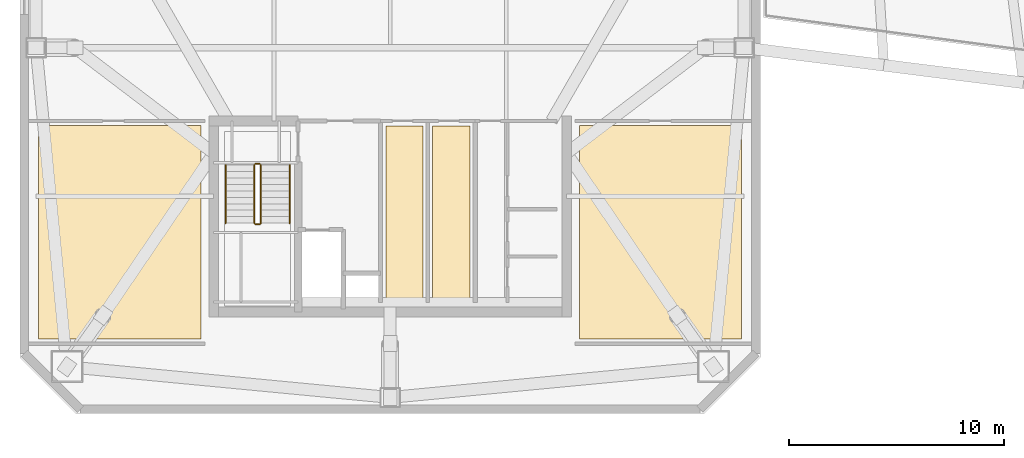
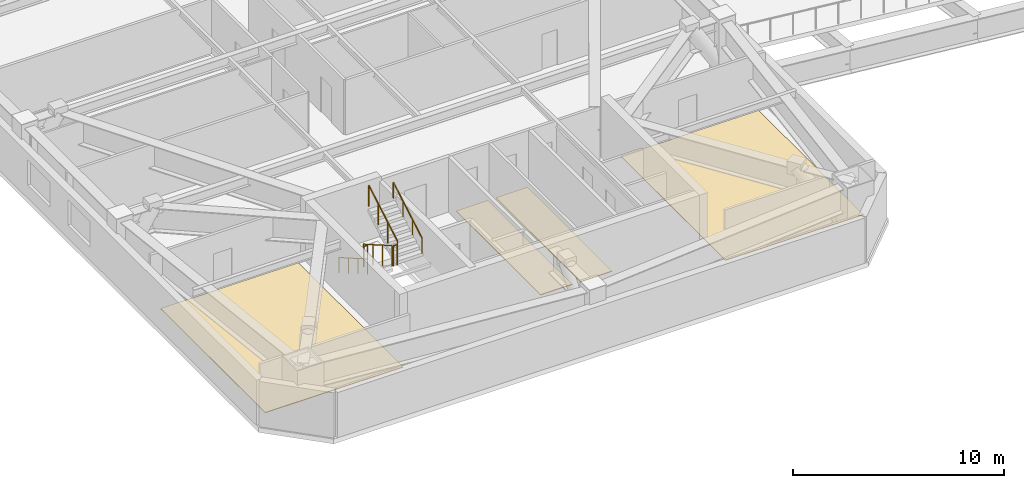
# One storey, part 13 of 18: 6 railings, 4 coverings.
"""IFC4 building model written with IfcOpenShell, lengths in metres."""

from ifc_helpers import new_model, si_unit, direction, frame, origin, origin_2d, place, context, subcontext, project, spatial, polyline, circle, outline, extrude, material, layer, layer_set, type_object, element, save


model = new_model("IFC4")

# Units and contexts
model_context = context("Model", 3, precision=1e-05, world=origin(), true_north=direction((0.0, 1.0)))
body_context = subcontext(model_context, "Body", "Model", "MODEL_VIEW")
ifc_project = project(units=[si_unit("LENGTHUNIT", "METRE"), si_unit("AREAUNIT", "SQUARE_METRE"), si_unit("VOLUMEUNIT", "CUBIC_METRE"), si_unit("PLANEANGLEUNIT", "RADIAN"), si_unit("MASSUNIT", "GRAM", prefix="KILO")], contexts=[model_context])

# Site, building, storey
site_placement = place(None, origin())
site = spatial("IfcSite", under=ifc_project, at=site_placement, CompositionType="ELEMENT")
building_placement = place(site_placement, origin())
building = spatial("IfcBuilding", under=site, at=building_placement, Name="Qiaolan Cultural Towers", CompositionType="ELEMENT")
storey_placement = place(building_placement, frame((0.0, 0.0, 219.64990234375)))
storey = spatial("IfcBuildingStorey", under=building, at=storey_placement, Name="L59", CompositionType="ELEMENT", Elevation=219.64990234375)

# Coverings
ifc_material_1 = material(Name="Honed Terrazzo & Raised Access Flooring", Category="concrete")
ifc_layer = layer(ifc_material_1, 0.0400390625)
ifc_layer_set = layer_set([ifc_layer], Name="Honed Terrazzo & Raised Access Flooring")
covering_type = type_object("IfcCoveringType", Name="COV-FLR-STONE", PredefinedType="FLOORING", material=ifc_layer_set)
covering_1_placement = place(storey_placement, origin())
element("IfcCovering", 1, at=covering_1_placement, inside=storey, type_object=covering_type, Name="L59 Document Print and Copy Room Finish Flooring", PredefinedType="FLOORING", context=body_context, shape_type="SweptSolid", body=[
    extrude(outline(polyline([(31.530029296875, 13.3701171875), (31.530029296875, 21.360107421875), (29.800048828125, 21.360107421875), (29.800048828125, 13.3701171875), (31.530029296875, 13.3701171875)])), origin(), (0.0, 0.0, 1.0), 0.0400390625),
])
covering_2_placement = place(storey_placement, origin())
element("IfcCovering", 2, at=covering_2_placement, inside=storey, type_object=covering_type, Name="L59 Staff Tea Pantry Finish Flooring", PredefinedType="FLOORING", context=body_context, shape_type="SweptSolid", body=[
    extrude(outline(polyline([(33.699951171875, 13.3701171875), (33.699951171875, 21.360107421875), (31.969970703125, 21.360107421875), (31.969970703125, 13.3701171875), (33.699951171875, 13.3701171875)])), origin(), (0.0, 0.0, 1.0), 0.0400390625),
])
covering_3_placement = place(storey_placement, origin())
element("IfcCovering", 3, at=covering_3_placement, inside=storey, type_object=covering_type, Name="L59 Corner Sky Park Cultural Salon Finish Flooring", PredefinedType="FLOORING", context=body_context, shape_type="SweptSolid", body=[
    extrude(outline(polyline([(21.199951171875, 11.469970703125), (21.199951171875, 21.3798828125), (13.669921875, 21.3798828125), (13.669921875, 11.469970703125), (21.199951171875, 11.469970703125)])), origin(), (0.0, 0.0, 1.0), 0.0400390625),
])
covering_4_placement = place(storey_placement, origin())
element("IfcCovering", 4, at=covering_4_placement, inside=storey, type_object=covering_type, Name="L59 Corner Botanical Lounge Finish Flooring", PredefinedType="FLOORING", context=body_context, shape_type="SweptSolid", body=[
    extrude(outline(polyline([(46.330078125, 11.469970703125), (46.330078125, 21.3798828125), (38.800048828125, 21.3798828125), (38.800048828125, 11.469970703125), (46.330078125, 11.469970703125)])), origin(), (0.0, 0.0, 1.0), 0.0400390625),
])

# Railings
ifc_material_2 = material(Name="Galvanized Painted Steel Stair Guardrail", Category="steel")
railing_type_1 = type_object("IfcRailingType", Name="RL-STAIR-GRD", PredefinedType="GUARDRAIL", material=ifc_material_2)
railing_1_placement = place(storey_placement, frame((23.68994140625, 19.550048828125, 0.172607421875)))
element("IfcRailing", 5, at=railing_1_placement, inside=storey, type_object=railing_type_1, Name="L59 ST-W1 stair guard 1", PredefinedType="GUARDRAIL", context=body_context, shape_type="SweptSolid", body=[
    extrude(circle(Radius=0.02392578125, at=origin_2d()), frame((0.0, 0.0, 1.17578125), z_axis=(0.0, -0.866903762492, 0.498475542607), x_axis=(1.0, 0.0, 0.0)), (0.0, 0.0, 1.0), 3.114501953125),
    extrude(circle(Radius=0.02099609375, at=origin_2d()), origin(), (0.0, 0.0, 1.0), 1.15185546875),
    extrude(circle(Radius=0.02099609375, at=origin_2d()), frame((0.0, -0.89990234375, 0.517578125)), (0.0, 0.0, 1.0), 1.15185546875),
    extrude(circle(Radius=0.02099609375, at=origin_2d()), frame((0.0, -1.800048828125, 1.034912109375)), (0.0, 0.0, 1.0), 1.15185546875),
    extrude(circle(Radius=0.02099609375, at=origin_2d()), frame((0.0, -2.699951171875, 1.552490234375)), (0.0, 0.0, 1.0), 1.15185546875),
])
railing_2_placement = place(storey_placement, frame((23.739990234375, 16.800048828125, 1.72509765625)))
element("IfcRailing", 6, at=railing_2_placement, inside=storey, type_object=railing_type_1, Name="L59 ST-W1 stair guard 2", PredefinedType="GUARDRAIL", context=body_context, shape_type="SweptSolid", body=[
    extrude(circle(Radius=0.02392578125, at=origin_2d()), frame((0.0, 0.0, 1.17578125), z_axis=(1.0, 0.0, 0.0), x_axis=(0.0, 1.0, 0.0)), (0.0, 0.0, 1.0), 0.199951171875),
    extrude(circle(Radius=0.02099609375, at=origin_2d()), origin(), (0.0, 0.0, 1.0), 1.15185546875),
    extrude(circle(Radius=0.02099609375, at=origin_2d()), frame((0.199951171875, 0.0, 0.0)), (0.0, 0.0, 1.0), 1.15185546875),
])
railing_3_placement = place(storey_placement, frame((23.989990234375, 16.85009765625, 1.897705078125)))
element("IfcRailing", 7, at=railing_3_placement, inside=storey, type_object=railing_type_1, Name="L59 ST-W1 stair guard 3", PredefinedType="GUARDRAIL", context=body_context, shape_type="SweptSolid", body=[
    extrude(circle(Radius=0.02392578125, at=origin_2d()), frame((0.0, 0.0, 1.17578125), z_axis=(0.0, 0.866903762492, 0.498475542607), x_axis=(-1.0, 0.0, 0.0)), (0.0, 0.0, 1.0), 3.114501953125),
    extrude(circle(Radius=0.02099609375, at=origin_2d()), origin(), (0.0, 0.0, 1.0), 1.15185546875),
    extrude(circle(Radius=0.02099609375, at=origin_2d()), frame((0.0, 0.89990234375, 0.517578125)), (0.0, 0.0, 1.0), 1.15185546875),
    extrude(circle(Radius=0.02099609375, at=origin_2d()), frame((0.0, 1.800048828125, 1.034912109375)), (0.0, 0.0, 1.0), 1.15185546875),
    extrude(circle(Radius=0.02099609375, at=origin_2d()), frame((0.0, 2.699951171875, 1.552490234375)), (0.0, 0.0, 1.0), 1.15185546875),
])
railing_4_placement = place(storey_placement, frame((23.739990234375, 19.60009765625, 0.0)))
element("IfcRailing", 8, at=railing_4_placement, inside=storey, type_object=railing_type_1, Name="L59 ST-W1 stair guard 4", PredefinedType="GUARDRAIL", context=body_context, shape_type="SweptSolid", body=[
    extrude(circle(Radius=0.02392578125, at=origin_2d()), frame((0.0, 0.0, 1.17578125), z_axis=(1.0, 0.0, 0.0), x_axis=(0.0, 1.0, 0.0)), (0.0, 0.0, 1.0), 0.199951171875),
    extrude(circle(Radius=0.02099609375, at=origin_2d()), origin(), (0.0, 0.0, 1.0), 1.15185546875),
    extrude(circle(Radius=0.02099609375, at=origin_2d()), frame((0.199951171875, 0.0, 0.0)), (0.0, 0.0, 1.0), 1.15185546875),
])
ifc_material_3 = material(Name="Stainless Steel S30408 Tubular Handrail", Category="steel")
railing_type_2 = type_object("IfcRailingType", Name="RL-STAIR-HR", PredefinedType="HANDRAIL", material=ifc_material_3)
railing_5_placement = place(storey_placement, frame((22.35009765625, 19.550048828125, 0.172607421875)))
element("IfcRailing", 9, at=railing_5_placement, inside=storey, type_object=railing_type_2, Name="L59 ST-W1 stair handrail 1", PredefinedType="HANDRAIL", context=body_context, shape_type="SweptSolid", body=[
    extrude(circle(Radius=0.02392578125, at=origin_2d()), frame((0.0, 0.0, 0.8759765625), z_axis=(0.0, -0.866903762492, 0.498475542607), x_axis=(1.0, 0.0, 0.0)), (0.0, 0.0, 1.0), 3.114501953125),
    extrude(circle(Radius=0.02099609375, at=origin_2d()), origin(), (0.0, 0.0, 1.0), 0.851806640625),
    extrude(circle(Radius=0.02099609375, at=origin_2d()), frame((0.0, -0.89990234375, 0.517578125)), (0.0, 0.0, 1.0), 0.851806640625),
    extrude(circle(Radius=0.02099609375, at=origin_2d()), frame((0.0, -1.800048828125, 1.034912109375)), (0.0, 0.0, 1.0), 0.851806640625),
    extrude(circle(Radius=0.02099609375, at=origin_2d()), frame((0.0, -2.699951171875, 1.552490234375)), (0.0, 0.0, 1.0), 0.851806640625),
])
railing_6_placement = place(storey_placement, frame((25.330078125, 16.85009765625, 1.897705078125)))
element("IfcRailing", 10, at=railing_6_placement, inside=storey, type_object=railing_type_2, Name="L59 ST-W1 stair handrail 2", PredefinedType="HANDRAIL", context=body_context, shape_type="SweptSolid", body=[
    extrude(circle(Radius=0.02392578125, at=origin_2d()), frame((0.0, 0.0, 0.8759765625), z_axis=(0.0, 0.866903762492, 0.498475542607), x_axis=(-1.0, 0.0, 0.0)), (0.0, 0.0, 1.0), 3.114501953125),
    extrude(circle(Radius=0.02099609375, at=origin_2d()), origin(), (0.0, 0.0, 1.0), 0.851806640625),
    extrude(circle(Radius=0.02099609375, at=origin_2d()), frame((0.0, 0.89990234375, 0.517578125)), (0.0, 0.0, 1.0), 0.851806640625),
    extrude(circle(Radius=0.02099609375, at=origin_2d()), frame((0.0, 1.800048828125, 1.034912109375)), (0.0, 0.0, 1.0), 0.851806640625),
    extrude(circle(Radius=0.02099609375, at=origin_2d()), frame((0.0, 2.699951171875, 1.552490234375)), (0.0, 0.0, 1.0), 0.851806640625),
])

save(model, "model.ifc")
